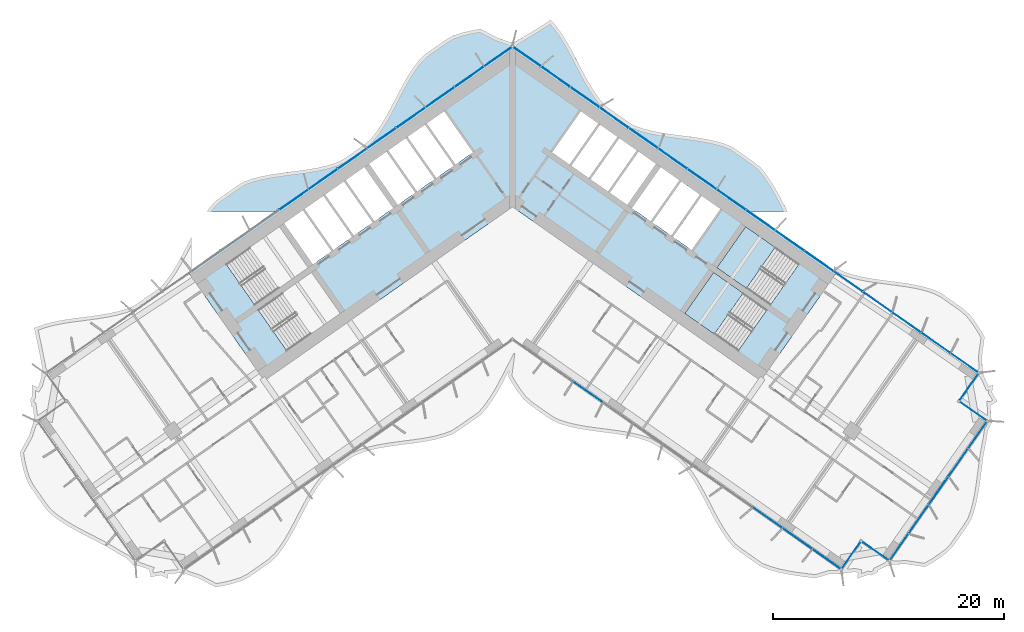
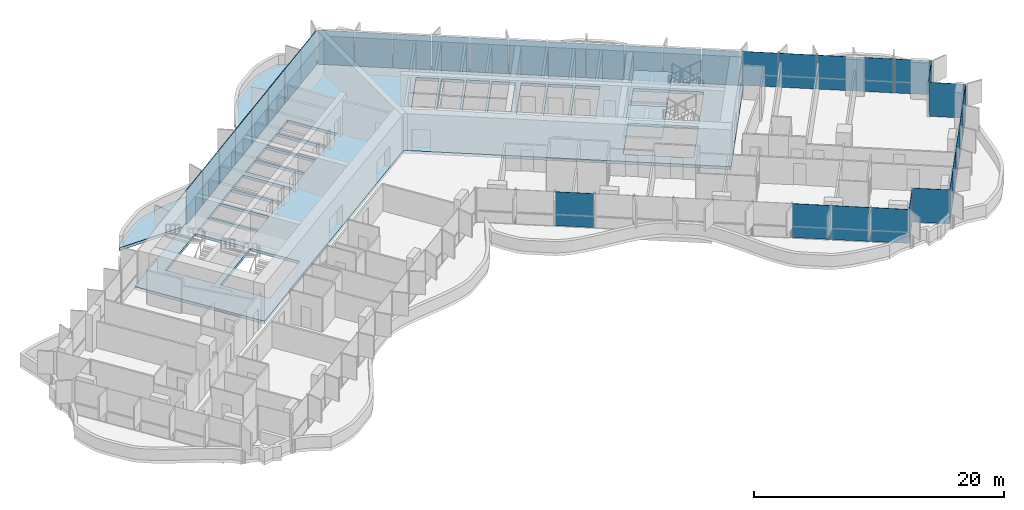
# One storey, part 11 of 23: 37 plates, 4 slabs, 4 elements without a shape of their own.
"""IFC4 building model written with IfcOpenShell, lengths in metres."""

from ifc_helpers import new_model, si_unit, direction, frame, origin, origin_2d, place, context, subcontext, project, spatial, polyline, rectangle, outline, extrude, material, layer, layer_set, type_object, element, aggregate, save


model = new_model("IFC4")

# Units and contexts
model_context = context("Model", 3, precision=1e-05, world=origin(), true_north=direction((0.0, 1.0)))
body_context = subcontext(model_context, "Body", "Model", "MODEL_VIEW")
ifc_project = project(units=[si_unit("LENGTHUNIT", "METRE"), si_unit("AREAUNIT", "SQUARE_METRE"), si_unit("VOLUMEUNIT", "CUBIC_METRE"), si_unit("PLANEANGLEUNIT", "RADIAN"), si_unit("MASSUNIT", "GRAM", prefix="KILO")], contexts=[model_context])

# Site, building, storey
site_placement = place(None, origin())
site = spatial("IfcSite", under=ifc_project, at=site_placement, CompositionType="ELEMENT")
building_placement = place(site_placement, origin())
building = spatial("IfcBuilding", under=site, at=building_placement, Name="Tel Ilan Convention Tower", CompositionType="ELEMENT")
storey_placement = place(building_placement, frame((0.0, 0.0, 108.5)))
storey = spatial("IfcBuildingStorey", under=building, at=storey_placement, Name="L23", CompositionType="ELEMENT", Elevation=108.5)

# Curtain wall, plates
ifc_material_1 = material(Name="Aluminium, bronze anodised", Category="aluminium")
curtain_wall_type_1 = type_object("IfcCurtainWallType", Name="CW1 UNITISED CURTAIN WALL, HOTEL TINTED GLASS", PredefinedType="NOTDEFINED", material=ifc_material_1)
curtain_wall_1_placement = place(storey_placement, origin())
curtain_wall_1 = element("IfcCurtainWall", 1, at=curtain_wall_1_placement, inside=storey, type_object=curtain_wall_type_1, Name="Curtain wall CW1-19.02", PredefinedType="NOTDEFINED")
ifc_material_2 = material(Name="Glass, bronze tinted, two-ply unitised", Category="glass")
ifc_layer_1 = layer(ifc_material_2, 0.028076171875)
ifc_layer_set_1 = layer_set([ifc_layer_1], Name="CW HOTEL GLASS PANEL 28")
plate_type_1 = type_object("IfcPlateType", Name="CW HOTEL GLASS PANEL 28", PredefinedType="CURTAIN_PANEL", material=ifc_layer_set_1)
plate_1_placement = place(storey_placement, frame((6.544921875, -17.27880859375, 0.0), z_axis=(0.0, 0.0, 1.0), x_axis=(0.819152044289, -0.573576436351, 0.0)))
plate_1 = element("IfcPlate", 2, at=plate_1_placement, type_object=plate_type_1, Name="Glass panel", PredefinedType="CURTAIN_PANEL", context=body_context, shape_type="SweptSolid", body=[
    extrude(rectangle(XDim=3.10791015625, YDim=0.028076171875, at=origin_2d()), origin(), (0.0, 0.0, 1.0), 3.320068359375),
])
plate_2_placement = place(storey_placement, frame((22.115478515625, -28.181396484375, 0.0), z_axis=(0.0, 0.0, 1.0), x_axis=(0.819152044289, -0.573576436351, 0.0)))
plate_2 = element("IfcPlate", 3, at=plate_2_placement, type_object=plate_type_1, Name="Glass panel", PredefinedType="CURTAIN_PANEL", context=body_context, shape_type="SweptSolid", body=[
    extrude(rectangle(XDim=3.10791015625, YDim=0.028076171875, at=origin_2d()), origin(), (0.0, 0.0, 1.0), 3.320068359375),
])
plate_3_placement = place(storey_placement, frame((24.71044921875, -29.99853515625, 0.0), z_axis=(0.0, 0.0, 1.0), x_axis=(0.819152044289, -0.573576436351, 0.0)))
plate_3 = element("IfcPlate", 4, at=plate_3_placement, type_object=plate_type_1, Name="Glass panel", PredefinedType="CURTAIN_PANEL", context=body_context, shape_type="SweptSolid", body=[
    extrude(rectangle(XDim=3.10791015625, YDim=0.028076171875, at=origin_2d()), origin(), (0.0, 0.0, 1.0), 3.320068359375),
])
plate_4_placement = place(storey_placement, frame((27.26708984375, -31.78857421875, 0.0), z_axis=(0.0, 0.0, 1.0), x_axis=(0.819152044289, -0.573576436351, 0.0)))
plate_4 = element("IfcPlate", 5, at=plate_4_placement, type_object=plate_type_1, Name="Glass panel", PredefinedType="CURTAIN_PANEL", context=body_context, shape_type="SweptSolid", body=[
    extrude(rectangle(XDim=3.013916015625, YDim=0.028076171875, at=origin_2d()), origin(), (0.0, 0.0, 1.0), 3.320068359375),
])
plate_5_placement = place(storey_placement, frame((29.359375, -31.469482421875, 0.0), z_axis=(0.0, 0.0, 1.0), x_axis=(0.573576436351, 0.819152044289, 0.0)))
plate_5 = element("IfcPlate", 6, at=plate_5_placement, type_object=plate_type_1, Name="Glass panel", PredefinedType="CURTAIN_PANEL", context=body_context, shape_type="SweptSolid", body=[
    extrude(rectangle(XDim=2.875, YDim=0.028076171875, at=origin_2d()), origin(), (0.0, 0.0, 1.0), 3.320068359375),
])
plate_6_placement = place(storey_placement, frame((31.502197265625, -31.091796875, 0.0), z_axis=(0.0, 0.0, 1.0), x_axis=(0.819152044289, -0.573576436351, 0.0)))
plate_6 = element("IfcPlate", 7, at=plate_6_placement, type_object=plate_type_1, Name="Glass panel", PredefinedType="CURTAIN_PANEL", context=body_context, shape_type="SweptSolid", body=[
    extrude(rectangle(XDim=2.875, YDim=0.028076171875, at=origin_2d()), origin(), (0.0, 0.0, 1.0), 3.320068359375),
])
plate_7_placement = place(storey_placement, frame((33.529296875, -30.74462890625, 0.0), z_axis=(0.0, 0.0, 1.0), x_axis=(0.573576436351, 0.819152044289, 0.0)))
plate_7 = element("IfcPlate", 8, at=plate_7_placement, type_object=plate_type_1, Name="Glass panel", PredefinedType="CURTAIN_PANEL", context=body_context, shape_type="SweptSolid", body=[
    extrude(rectangle(XDim=2.845947265625, YDim=0.028076171875, at=origin_2d()), origin(), (0.0, 0.0, 1.0), 3.320068359375),
])
plate_8_placement = place(storey_placement, frame((35.22314453125, -28.32568359375, 0.0), z_axis=(0.0, 0.0, 1.0), x_axis=(0.573576436351, 0.819152044289, 0.0)))
plate_8 = element("IfcPlate", 9, at=plate_8_placement, type_object=plate_type_1, Name="Glass panel", PredefinedType="CURTAIN_PANEL", context=body_context, shape_type="SweptSolid", body=[
    extrude(rectangle(XDim=2.93994140625, YDim=0.028076171875, at=origin_2d()), origin(), (0.0, 0.0, 1.0), 3.320068359375),
])
plate_9_placement = place(storey_placement, frame((36.94384765625, -25.868408203125, 0.0), z_axis=(0.0, 0.0, 1.0), x_axis=(0.573576436351, 0.819152044289, 0.0)))
plate_9 = element("IfcPlate", 10, at=plate_9_placement, type_object=plate_type_1, Name="Glass panel", PredefinedType="CURTAIN_PANEL", context=body_context, shape_type="SweptSolid", body=[
    extrude(rectangle(XDim=2.93994140625, YDim=0.028076171875, at=origin_2d()), origin(), (0.0, 0.0, 1.0), 3.320068359375),
])
plate_10_placement = place(storey_placement, frame((38.66455078125, -23.410888671875, 0.0), z_axis=(0.0, 0.0, 1.0), x_axis=(0.573576436351, 0.819152044289, 0.0)))
plate_10 = element("IfcPlate", 11, at=plate_10_placement, type_object=plate_type_1, Name="Glass panel", PredefinedType="CURTAIN_PANEL", context=body_context, shape_type="SweptSolid", body=[
    extrude(rectangle(XDim=2.93994140625, YDim=0.028076171875, at=origin_2d()), origin(), (0.0, 0.0, 1.0), 3.320068359375),
])
plate_11_placement = place(storey_placement, frame((40.358154296875, -20.991943359375, 0.0), z_axis=(0.0, 0.0, 1.0), x_axis=(0.573576436351, 0.819152044289, 0.0)))
plate_11 = element("IfcPlate", 12, at=plate_11_placement, type_object=plate_type_1, Name="Glass panel", PredefinedType="CURTAIN_PANEL", context=body_context, shape_type="SweptSolid", body=[
    extrude(rectangle(XDim=2.845947265625, YDim=0.028076171875, at=origin_2d()), origin(), (0.0, 0.0, 1.0), 3.320068359375),
])
plate_12_placement = place(storey_placement, frame((39.990966796875, -18.96826171875, 0.0), z_axis=(0.0, 0.0, 1.0), x_axis=(-0.819152044289, 0.573576436351, 0.0)))
plate_12 = element("IfcPlate", 13, at=plate_12_placement, type_object=plate_type_1, Name="Glass panel", PredefinedType="CURTAIN_PANEL", context=body_context, shape_type="SweptSolid", body=[
    extrude(rectangle(XDim=2.875, YDim=0.028076171875, at=origin_2d()), origin(), (0.0, 0.0, 1.0), 3.320068359375),
])
plate_13_placement = place(storey_placement, frame((39.61328125, -16.82568359375, 0.0), z_axis=(0.0, 0.0, 1.0), x_axis=(0.573576436351, 0.819152044289, 0.0)))
plate_13 = element("IfcPlate", 14, at=plate_13_placement, type_object=plate_type_1, Name="Glass panel", PredefinedType="CURTAIN_PANEL", context=body_context, shape_type="SweptSolid", body=[
    extrude(rectangle(XDim=2.875, YDim=0.028076171875, at=origin_2d()), origin(), (0.0, 0.0, 1.0), 3.320068359375),
])
plate_14_placement = place(storey_placement, frame((39.2265625, -14.7705078125, 0.0), z_axis=(0.0, 0.0, 1.0), x_axis=(-0.819152044289, 0.573576436351, 0.0)))
plate_14 = element("IfcPlate", 15, at=plate_14_placement, type_object=plate_type_1, Name="Glass panel", PredefinedType="CURTAIN_PANEL", context=body_context, shape_type="SweptSolid", body=[
    extrude(rectangle(XDim=2.943115234375, YDim=0.028076171875, at=origin_2d()), origin(), (0.0, 0.0, 1.0), 3.320068359375),
])
plate_15_placement = place(storey_placement, frame((36.72802734375, -13.021240234375, 0.0), z_axis=(0.0, 0.0, 1.0), x_axis=(-0.819152044289, 0.573576436351, 0.0)))
plate_15 = element("IfcPlate", 16, at=plate_15_placement, type_object=plate_type_1, Name="Glass panel", PredefinedType="CURTAIN_PANEL", context=body_context, shape_type="SweptSolid", body=[
    extrude(rectangle(XDim=3.037109375, YDim=0.028076171875, at=origin_2d()), origin(), (0.0, 0.0, 1.0), 3.320068359375),
])
plate_16_placement = place(storey_placement, frame((34.191162109375, -11.244873046875, 0.0), z_axis=(0.0, 0.0, 1.0), x_axis=(-0.819152044289, 0.573576436351, 0.0)))
plate_16 = element("IfcPlate", 17, at=plate_16_placement, type_object=plate_type_1, Name="Glass panel", PredefinedType="CURTAIN_PANEL", context=body_context, shape_type="SweptSolid", body=[
    extrude(rectangle(XDim=3.037109375, YDim=0.028076171875, at=origin_2d()), origin(), (0.0, 0.0, 1.0), 3.320068359375),
])
plate_17_placement = place(storey_placement, frame((31.654296875, -9.468505859375, 0.0), z_axis=(0.0, 0.0, 1.0), x_axis=(-0.819152044289, 0.573576436351, 0.0)))
plate_17 = element("IfcPlate", 18, at=plate_17_placement, type_object=plate_type_1, Name="Glass panel", PredefinedType="CURTAIN_PANEL", context=body_context, shape_type="SweptSolid", body=[
    extrude(rectangle(XDim=3.037109375, YDim=0.028076171875, at=origin_2d()), origin(), (0.0, 0.0, 1.0), 3.320068359375),
])
plate_18_placement = place(storey_placement, frame((29.1171875, -7.692138671875, 0.0), z_axis=(0.0, 0.0, 1.0), x_axis=(-0.819152044289, 0.573576436351, 0.0)))
plate_18 = element("IfcPlate", 19, at=plate_18_placement, type_object=plate_type_1, Name="Glass panel", PredefinedType="CURTAIN_PANEL", context=body_context, shape_type="SweptSolid", body=[
    extrude(rectangle(XDim=3.037109375, YDim=0.028076171875, at=origin_2d()), origin(), (0.0, 0.0, 1.0), 3.320068359375),
])
aggregate(curtain_wall_1, [plate_1, plate_2, plate_3, plate_4, plate_5, plate_6, plate_7, plate_8, plate_9, plate_10, plate_11, plate_12, plate_13, plate_14, plate_15, plate_16, plate_17, plate_18])

ifc_material_3 = material(Name="Aluminium, bronze anodised", Category="aluminium")
curtain_wall_type_2 = type_object("IfcCurtainWallType", Name="CW2 STICK CURTAIN WALL, SPANDREL PANELS", PredefinedType="NOTDEFINED", material=ifc_material_3)
curtain_wall_2_placement = place(storey_placement, origin())
curtain_wall_2 = element("IfcCurtainWall", 20, at=curtain_wall_2_placement, inside=storey, type_object=curtain_wall_type_2, Name="Curtain wall CW2-19.01", PredefinedType="NOTDEFINED")
ifc_material_4 = material(Name="Aluminium composite panel, bronze anodised", Category="aluminium")
ifc_layer_2 = layer(ifc_material_4, 0.06005859375)
ifc_layer_set_2 = layer_set([ifc_layer_2], Name="CW SPANDREL PANEL 60")
plate_type_2 = type_object("IfcPlateType", Name="CW SPANDREL PANEL 60", PredefinedType="CURTAIN_PANEL", material=ifc_layer_set_2)
plate_19_placement = place(storey_placement, frame((26.580322265625, -5.915771484375, 0.0), z_axis=(0.0, 0.0, 1.0), x_axis=(-0.819152044289, 0.573576436351, 0.0)))
plate_19 = element("IfcPlate", 21, at=plate_19_placement, type_object=plate_type_2, Name="Spandrel panel", PredefinedType="CURTAIN_PANEL", context=body_context, shape_type="SweptSolid", body=[
    extrude(rectangle(XDim=3.037109375, YDim=0.06005859375, at=origin_2d()), origin(), (0.0, 0.0, 1.0), 3.320068359375),
])
plate_20_placement = place(storey_placement, frame((24.04345703125, -4.139404296875, 0.0), z_axis=(0.0, 0.0, 1.0), x_axis=(-0.819152044289, 0.573576436351, 0.0)))
plate_20 = element("IfcPlate", 22, at=plate_20_placement, type_object=plate_type_2, Name="Spandrel panel", PredefinedType="CURTAIN_PANEL", context=body_context, shape_type="SweptSolid", body=[
    extrude(rectangle(XDim=3.037109375, YDim=0.06005859375, at=origin_2d()), origin(), (0.0, 0.0, 1.0), 3.320068359375),
])
plate_21_placement = place(storey_placement, frame((21.506591796875, -2.363037109375, 0.0), z_axis=(0.0, 0.0, 1.0), x_axis=(-0.819152044289, 0.573576436351, 0.0)))
plate_21 = element("IfcPlate", 23, at=plate_21_placement, type_object=plate_type_2, Name="Spandrel panel", PredefinedType="CURTAIN_PANEL", context=body_context, shape_type="SweptSolid", body=[
    extrude(rectangle(XDim=3.037109375, YDim=0.06005859375, at=origin_2d()), origin(), (0.0, 0.0, 1.0), 3.320068359375),
])
plate_22_placement = place(storey_placement, frame((18.969482421875, -0.586669921875, 0.0), z_axis=(0.0, 0.0, 1.0), x_axis=(-0.819152044289, 0.573576436351, 0.0)))
plate_22 = element("IfcPlate", 24, at=plate_22_placement, type_object=plate_type_2, Name="Spandrel panel", PredefinedType="CURTAIN_PANEL", context=body_context, shape_type="SweptSolid", body=[
    extrude(rectangle(XDim=3.037109375, YDim=0.06005859375, at=origin_2d()), origin(), (0.0, 0.0, 1.0), 3.320068359375),
])
plate_23_placement = place(storey_placement, frame((16.4326171875, 1.189697265625, 0.0), z_axis=(0.0, 0.0, 1.0), x_axis=(-0.819152044289, 0.573576436351, 0.0)))
plate_23 = element("IfcPlate", 25, at=plate_23_placement, type_object=plate_type_2, Name="Spandrel panel", PredefinedType="CURTAIN_PANEL", context=body_context, shape_type="SweptSolid", body=[
    extrude(rectangle(XDim=3.037109375, YDim=0.06005859375, at=origin_2d()), origin(), (0.0, 0.0, 1.0), 3.320068359375),
])
plate_24_placement = place(storey_placement, frame((13.895751953125, 2.966064453125, 0.0), z_axis=(0.0, 0.0, 1.0), x_axis=(-0.819152044289, 0.573576436351, 0.0)))
plate_24 = element("IfcPlate", 26, at=plate_24_placement, type_object=plate_type_2, Name="Spandrel panel", PredefinedType="CURTAIN_PANEL", context=body_context, shape_type="SweptSolid", body=[
    extrude(rectangle(XDim=3.037109375, YDim=0.06005859375, at=origin_2d()), origin(), (0.0, 0.0, 1.0), 3.320068359375),
])
plate_25_placement = place(storey_placement, frame((11.35888671875, 4.742431640625, 0.0), z_axis=(0.0, 0.0, 1.0), x_axis=(-0.819152044289, 0.573576436351, 0.0)))
plate_25 = element("IfcPlate", 27, at=plate_25_placement, type_object=plate_type_2, Name="Spandrel panel", PredefinedType="CURTAIN_PANEL", context=body_context, shape_type="SweptSolid", body=[
    extrude(rectangle(XDim=3.037109375, YDim=0.06005859375, at=origin_2d()), origin(), (0.0, 0.0, 1.0), 3.320068359375),
])
plate_26_placement = place(storey_placement, frame((8.82177734375, 6.518798828125, 0.0), z_axis=(0.0, 0.0, 1.0), x_axis=(-0.819152044289, 0.573576436351, 0.0)))
plate_26 = element("IfcPlate", 28, at=plate_26_placement, type_object=plate_type_2, Name="Spandrel panel", PredefinedType="CURTAIN_PANEL", context=body_context, shape_type="SweptSolid", body=[
    extrude(rectangle(XDim=3.037109375, YDim=0.06005859375, at=origin_2d()), origin(), (0.0, 0.0, 1.0), 3.320068359375),
])
plate_27_placement = place(storey_placement, frame((6.284912109375, 8.295166015625, 0.0), z_axis=(0.0, 0.0, 1.0), x_axis=(-0.819152044289, 0.573576436351, 0.0)))
plate_27 = element("IfcPlate", 29, at=plate_27_placement, type_object=plate_type_2, Name="Spandrel panel", PredefinedType="CURTAIN_PANEL", context=body_context, shape_type="SweptSolid", body=[
    extrude(rectangle(XDim=3.037109375, YDim=0.06005859375, at=origin_2d()), origin(), (0.0, 0.0, 1.0), 3.320068359375),
])
plate_28_placement = place(storey_placement, frame((3.748046875, 10.07177734375, 0.0), z_axis=(0.0, 0.0, 1.0), x_axis=(-0.819152044289, 0.573576436351, 0.0)))
plate_28 = element("IfcPlate", 30, at=plate_28_placement, type_object=plate_type_2, Name="Spandrel panel", PredefinedType="CURTAIN_PANEL", context=body_context, shape_type="SweptSolid", body=[
    extrude(rectangle(XDim=3.037109375, YDim=0.06005859375, at=origin_2d()), origin(), (0.0, 0.0, 1.0), 3.320068359375),
])
plate_29_placement = place(storey_placement, frame((1.256103515625, 11.81640625, 0.0), z_axis=(0.0, 0.0, 1.0), x_axis=(-0.819152044289, 0.573576436351, 0.0)))
plate_29 = element("IfcPlate", 31, at=plate_29_placement, type_object=plate_type_2, Name="Spandrel panel", PredefinedType="CURTAIN_PANEL", context=body_context, shape_type="SweptSolid", body=[
    extrude(rectangle(XDim=2.927001953125, YDim=0.06005859375, at=origin_2d()), origin(), (0.0, 0.0, 1.0), 3.320068359375),
])
plate_30_placement = place(storey_placement, frame((-1.256103515625, 11.81640625, 0.0), z_axis=(0.0, 0.0, 1.0), x_axis=(-0.819152044289, -0.573576436351, 0.0)))
plate_30 = element("IfcPlate", 32, at=plate_30_placement, type_object=plate_type_2, Name="Spandrel panel", PredefinedType="CURTAIN_PANEL", context=body_context, shape_type="SweptSolid", body=[
    extrude(rectangle(XDim=2.927001953125, YDim=0.06005859375, at=origin_2d()), origin(), (0.0, 0.0, 1.0), 3.320068359375),
])
plate_31_placement = place(storey_placement, frame((-3.748046875, 10.07177734375, 0.0), z_axis=(0.0, 0.0, 1.0), x_axis=(-0.819152044289, -0.573576436351, 0.0)))
plate_31 = element("IfcPlate", 33, at=plate_31_placement, type_object=plate_type_2, Name="Spandrel panel", PredefinedType="CURTAIN_PANEL", context=body_context, shape_type="SweptSolid", body=[
    extrude(rectangle(XDim=3.037109375, YDim=0.06005859375, at=origin_2d()), origin(), (0.0, 0.0, 1.0), 3.320068359375),
])
plate_32_placement = place(storey_placement, frame((-6.284912109375, 8.295166015625, 0.0), z_axis=(0.0, 0.0, 1.0), x_axis=(-0.819152044289, -0.573576436351, 0.0)))
plate_32 = element("IfcPlate", 34, at=plate_32_placement, type_object=plate_type_2, Name="Spandrel panel", PredefinedType="CURTAIN_PANEL", context=body_context, shape_type="SweptSolid", body=[
    extrude(rectangle(XDim=3.037109375, YDim=0.06005859375, at=origin_2d()), origin(), (0.0, 0.0, 1.0), 3.320068359375),
])
plate_33_placement = place(storey_placement, frame((-8.82177734375, 6.518798828125, 0.0), z_axis=(0.0, 0.0, 1.0), x_axis=(-0.819152044289, -0.573576436351, 0.0)))
plate_33 = element("IfcPlate", 35, at=plate_33_placement, type_object=plate_type_2, Name="Spandrel panel", PredefinedType="CURTAIN_PANEL", context=body_context, shape_type="SweptSolid", body=[
    extrude(rectangle(XDim=3.037109375, YDim=0.06005859375, at=origin_2d()), origin(), (0.0, 0.0, 1.0), 3.320068359375),
])
plate_34_placement = place(storey_placement, frame((-11.35888671875, 4.742431640625, 0.0), z_axis=(0.0, 0.0, 1.0), x_axis=(-0.819152044289, -0.573576436351, 0.0)))
plate_34 = element("IfcPlate", 36, at=plate_34_placement, type_object=plate_type_2, Name="Spandrel panel", PredefinedType="CURTAIN_PANEL", context=body_context, shape_type="SweptSolid", body=[
    extrude(rectangle(XDim=3.037109375, YDim=0.06005859375, at=origin_2d()), origin(), (0.0, 0.0, 1.0), 3.320068359375),
])
plate_35_placement = place(storey_placement, frame((-13.895751953125, 2.966064453125, 0.0), z_axis=(0.0, 0.0, 1.0), x_axis=(-0.819152044289, -0.573576436351, 0.0)))
plate_35 = element("IfcPlate", 37, at=plate_35_placement, type_object=plate_type_2, Name="Spandrel panel", PredefinedType="CURTAIN_PANEL", context=body_context, shape_type="SweptSolid", body=[
    extrude(rectangle(XDim=3.037109375, YDim=0.06005859375, at=origin_2d()), origin(), (0.0, 0.0, 1.0), 3.320068359375),
])
plate_36_placement = place(storey_placement, frame((-16.4326171875, 1.189697265625, 0.0), z_axis=(0.0, 0.0, 1.0), x_axis=(-0.819152044289, -0.573576436351, 0.0)))
plate_36 = element("IfcPlate", 38, at=plate_36_placement, type_object=plate_type_2, Name="Spandrel panel", PredefinedType="CURTAIN_PANEL", context=body_context, shape_type="SweptSolid", body=[
    extrude(rectangle(XDim=3.037109375, YDim=0.06005859375, at=origin_2d()), origin(), (0.0, 0.0, 1.0), 3.320068359375),
])
plate_37_placement = place(storey_placement, frame((-18.969482421875, -0.586669921875, 0.0), z_axis=(0.0, 0.0, 1.0), x_axis=(-0.819152044289, -0.573576436351, 0.0)))
plate_37 = element("IfcPlate", 39, at=plate_37_placement, type_object=plate_type_2, Name="Spandrel panel", PredefinedType="CURTAIN_PANEL", context=body_context, shape_type="SweptSolid", body=[
    extrude(rectangle(XDim=3.037109375, YDim=0.06005859375, at=origin_2d()), origin(), (0.0, 0.0, 1.0), 3.320068359375),
])
aggregate(curtain_wall_2, [plate_19, plate_20, plate_21, plate_22, plate_23, plate_24, plate_25, plate_26, plate_27, plate_28, plate_29, plate_30, plate_31, plate_32, plate_33, plate_34, plate_35, plate_36, plate_37])

# Stair, slab
ifc_material_5 = material(Name="Concrete C40/50", Category="concrete")
stair_type = type_object("IfcStairType", Name="Pressurised Exit Stair 20 risers 180 mm", PredefinedType="HALF_TURN_STAIR", material=ifc_material_5)
stair_1_placement = place(storey_placement, origin())
stair_1 = element("IfcStair", 40, at=stair_1_placement, inside=storey, type_object=stair_type, Name="L23 Pressurised Stair S3", PredefinedType="HALF_TURN_STAIR")
ifc_material_6 = material(Name="Concrete C40/50", Category="concrete")
ifc_layer_3 = layer(ifc_material_6, 0.199951171875)
ifc_layer_set_3 = layer_set([ifc_layer_3], Name="Concrete Stair Landing 200 mm C40/50")
slab_type_1 = type_object("IfcSlabType", Name="Concrete Stair Landing 200 mm", PredefinedType="LANDING", material=ifc_layer_set_3)
slab_1_placement = place(storey_placement, frame((0.0, 0.0, 1.60009765625)))
slab_1 = element("IfcSlab", 41, at=slab_1_placement, type_object=slab_type_1, Name="S3 landing 1", PredefinedType="LANDING", context=body_context, shape_type="SweptSolid", body=[
    extrude(outline(polyline([(22.791015625, -4.727294921875), (20.226318359375, -2.931640625), (17.7314453125, -6.494873046875), (20.2958984375, -8.29052734375), (22.791015625, -4.727294921875)])), origin(), (0.0, 0.0, 1.0), 0.199951171875),
])
aggregate(stair_1, [slab_1])

stair_2_placement = place(storey_placement, origin())
stair_2 = element("IfcStair", 42, at=stair_2_placement, inside=storey, type_object=stair_type, Name="L23 Pressurised Stair S4", PredefinedType="HALF_TURN_STAIR")
slab_2_placement = place(storey_placement, frame((0.0, 0.0, 1.60009765625)))
slab_2 = element("IfcSlab", 43, at=slab_2_placement, type_object=slab_type_1, Name="S4 landing 1", PredefinedType="LANDING", context=body_context, shape_type="SweptSolid", body=[
    extrude(outline(polyline([(20.00927734375, -8.7001953125), (17.444580078125, -6.904541015625), (14.949462890625, -10.4677734375), (17.51416015625, -12.263427734375), (20.00927734375, -8.7001953125)])), origin(), (0.0, 0.0, 1.0), 0.199951171875),
])
aggregate(stair_2, [slab_2])

# Slabs
ifc_material_7 = material(Name="Concrete C40/50", Category="concrete")
ifc_layer_4 = layer(ifc_material_7, 0.280029296875)
ifc_layer_set_4 = layer_set([ifc_layer_4], Name="Core Floor Slab 280 mm C40/50")
slab_type_2 = type_object("IfcSlabType", Name="Core Floor Slab 280 mm C40/50", PredefinedType="FLOOR", material=ifc_layer_set_4)
slab_3_placement = place(storey_placement, frame((0.0, 0.0, -0.280029296875)))
element("IfcSlab", 44, at=slab_3_placement, inside=storey, type_object=slab_type_2, Name="L23 core floor 1", PredefinedType="FLOOR", context=body_context, shape_type="SweptSolid", body=[
    extrude(outline(polyline([(-28.1396484375, -6.885498046875), (0.0, 12.818115234375), (28.1396484375, -6.885498046875), (21.54345703125, -16.3056640625), (0.0, -1.220703125), (-21.54345703125, -16.3056640625), (-28.1396484375, -6.885498046875)]), holes=[polyline([(-14.949462890625, -10.4677734375), (-17.444580078125, -6.904541015625), (-22.072021484375, -10.144775390625), (-19.5771484375, -13.7080078125), (-14.949462890625, -10.4677734375)]), polyline([(-17.7314453125, -6.494873046875), (-20.226318359375, -2.931640625), (-24.85400390625, -6.171875), (-22.35888671875, -9.735107421875), (-17.7314453125, -6.494873046875)]), polyline([(-18.198974609375, -1.511962890625), (-19.81689453125, -2.644775390625), (-17.32177734375, -6.2080078125), (-15.7041015625, -5.0751953125), (-18.198974609375, -1.511962890625)]), polyline([(-16.41748046875, -0.264404296875), (-18.03515625, -1.397216796875), (-15.5400390625, -4.960693359375), (-13.92236328125, -3.827880859375), (-16.41748046875, -0.264404296875)]), polyline([(-14.6357421875, 0.983154296875), (-16.25341796875, -0.149658203125), (-13.758544921875, -3.712890625), (-12.140625, -2.580078125), (-14.6357421875, 0.983154296875)]), polyline([(-12.85400390625, 2.230712890625), (-14.471923828125, 1.097900390625), (-11.976806640625, -2.465576171875), (-10.35888671875, -1.332763671875), (-12.85400390625, 2.230712890625)]), polyline([(-10.939208984375, 3.5712890625), (-12.444580078125, 2.517333984375), (-9.949462890625, -1.0458984375), (-8.444091796875, 0.008056640625), (-10.939208984375, 3.5712890625)]), polyline([(-6.775146484375, 1.1767578125), (-9.270263671875, 4.739990234375), (-10.775390625, 3.68603515625), (-8.280517578125, 0.122802734375), (-6.775146484375, 1.1767578125)]), polyline([(-5.106201171875, 2.345458984375), (-7.601318359375, 5.90869140625), (-9.1064453125, 4.854736328125), (-6.611328125, 1.29150390625), (-5.106201171875, 2.345458984375)]), polyline([(-5.93212890625, 7.077392578125), (-7.4375, 6.0234375), (-4.9423828125, 2.460205078125), (-3.437255859375, 3.513916015625), (-5.93212890625, 7.077392578125)]), polyline([(17.444580078125, -6.904541015625), (14.949462890625, -10.4677734375), (19.5771484375, -13.7080078125), (22.072021484375, -10.144775390625), (17.444580078125, -6.904541015625)]), polyline([(20.226318359375, -2.931640625), (17.7314453125, -6.494873046875), (22.35888671875, -9.735107421875), (24.85400390625, -6.171875), (20.226318359375, -2.931640625)]), polyline([(13.92236328125, -3.827880859375), (15.5400390625, -4.960693359375), (18.03515625, -1.397216796875), (16.41748046875, -0.264404296875), (13.92236328125, -3.827880859375)]), polyline([(12.140625, -2.580078125), (13.758544921875, -3.712890625), (16.25341796875, -0.149658203125), (14.6357421875, 0.983154296875), (12.140625, -2.580078125)]), polyline([(11.976806640625, -2.465576171875), (14.471923828125, 1.097900390625), (12.85400390625, 2.230712890625), (10.35888671875, -1.332763671875), (11.976806640625, -2.465576171875)]), polyline([(9.949462890625, -1.0458984375), (12.444580078125, 2.517333984375), (10.939208984375, 3.5712890625), (8.444091796875, 0.008056640625), (9.949462890625, -1.0458984375)]), polyline([(8.280517578125, 0.122802734375), (10.775390625, 3.68603515625), (9.270263671875, 4.739990234375), (6.775146484375, 1.1767578125), (8.280517578125, 0.122802734375)]), polyline([(5.106201171875, 2.345458984375), (6.611328125, 1.29150390625), (9.1064453125, 4.854736328125), (7.601318359375, 5.90869140625), (5.106201171875, 2.345458984375)]), polyline([(3.437255859375, 3.513916015625), (4.9423828125, 2.460205078125), (7.4375, 6.0234375), (5.93212890625, 7.077392578125), (3.437255859375, 3.513916015625)])]), origin(), (0.0, 0.0, 1.0), 0.280029296875),
])
ifc_material_8 = material(Name="Concrete C40/50", Category="concrete")
ifc_layer_5 = layer(ifc_material_8, 0.280029296875)
ifc_layer_set_5 = layer_set([ifc_layer_5], Name="Edge Ledge Slab 280 mm C40/50")
slab_type_3 = type_object("IfcSlabType", Name="Edge Ledge Slab 280 mm C40/50", PredefinedType="FLOOR", material=ifc_layer_set_5)
slab_4_placement = place(storey_placement, frame((0.0, 0.0, -0.280029296875)))
element("IfcSlab", 45, at=slab_4_placement, inside=storey, type_object=slab_type_3, Name="L23 edge ledge 2", PredefinedType="FLOOR", context=body_context, shape_type="SweptSolid", body=[
    extrude(outline(polyline([(-23.301513671875, 0.96630859375), (-22.57568359375, 1.218994140625), (-21.812744140625, 1.4189453125), (-21.02001953125, 1.576171875), (-20.205810546875, 1.70263671875), (-19.37890625, 1.811279296875), (-18.5498046875, 1.91650390625), (-17.727783203125, 2.0322265625), (-16.923095703125, 2.172119140625), (-16.14404296875, 2.34912109375), (-15.398681640625, 2.573974609375), (-14.7119140625, 2.8828125), (-12.89453125, 4.155517578125), (-12.326416015625, 4.6337890625), (-11.845703125, 5.236572265625), (-11.401123046875, 5.89111328125), (-10.985595703125, 6.5869140625), (-10.59033203125, 7.311767578125), (-10.206298828125, 8.052734375), (-9.823486328125, 8.79541015625), (-9.431884765625, 9.52587890625), (-9.022216796875, 10.230224609375), (-8.585693359375, 10.896240234375), (-8.11474609375, 11.512939453125), (-7.57470703125, 12.031005859375), (-5.757080078125, 13.3037109375), (-5.10009765625, 13.654541015625), (-4.364013671875, 13.89306640625), (-3.593017578125, 14.0810546875), (-2.793212890625, 14.228271484375), (-1.3642578125, 13.47705078125), (-0.172119140625, 13.06396484375), (-0.168701171875, 13.05908203125), (-0.11474609375, 13.09521484375), (0.0, 13.1181640625), (0.11474609375, 13.09521484375), (0.168701171875, 13.05908203125), (0.172119140625, 13.06396484375), (1.732666015625, 14.003173828125), (3.331787109375, 14.997802734375), (3.8291015625, 14.418212890625), (4.28662109375, 13.7822265625), (4.71240234375, 13.100830078125), (5.1142578125, 12.385498046875), (5.50146484375, 11.64892578125), (5.883544921875, 10.9052734375), (6.2705078125, 10.168701171875), (6.672119140625, 9.452880859375), (7.09765625, 8.770751953125), (7.5546875, 8.134033203125), (8.050048828125, 7.55224609375), (8.65380859375, 7.125), (9.865478515625, 6.276611328125), (10.483642578125, 5.8701171875), (11.20458984375, 5.610107421875), (11.963134765625, 5.404052734375), (12.75244140625, 5.241943359375), (13.564697265625, 5.1123046875), (14.390380859375, 5.002197265625), (15.2197265625, 4.8974609375), (16.043212890625, 4.78369140625), (16.8505859375, 4.647705078125), (17.63330078125, 4.47607421875), (18.38330078125, 4.2578125), (19.08544921875, 3.97119140625), (20.903076171875, 2.698486328125), (21.484130859375, 2.239013671875), (21.9697265625, 1.643310546875), (22.418701171875, 0.99462890625), (22.83740234375, 0.3037109375), (23.23486328125, -0.41845703125), (23.619873046875, -1.158203125), (23.86328125, -1.631591796875), (20.63623046875, -1.631591796875), (0.0, 12.818115234375), (-20.63623046875, -1.631591796875), (-26.53369140625, -1.631591796875), (-26.25927734375, -1.2568359375), (-25.749755859375, -0.695068359375), (-23.93212890625, 0.577392578125), (-23.301513671875, 0.96630859375)])), origin(), (0.0, 0.0, 1.0), 0.280029296875),
])

save(model, "model.ifc")
